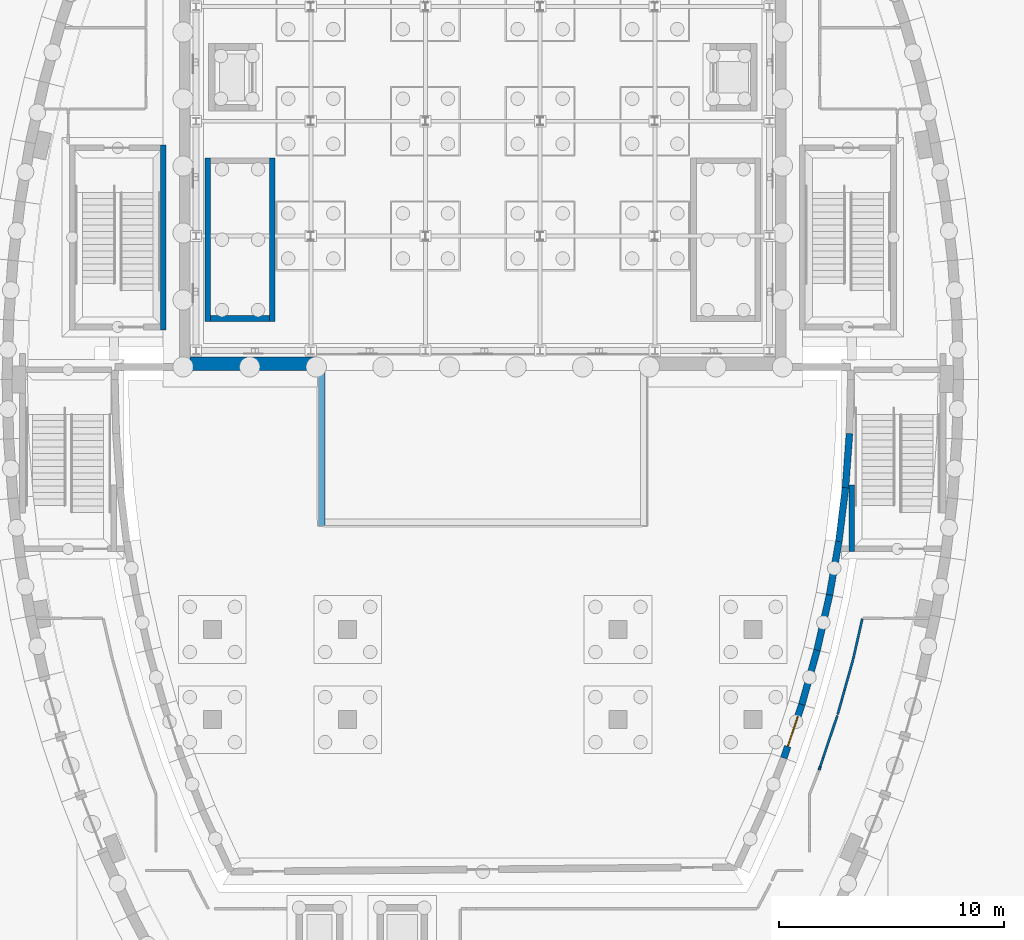
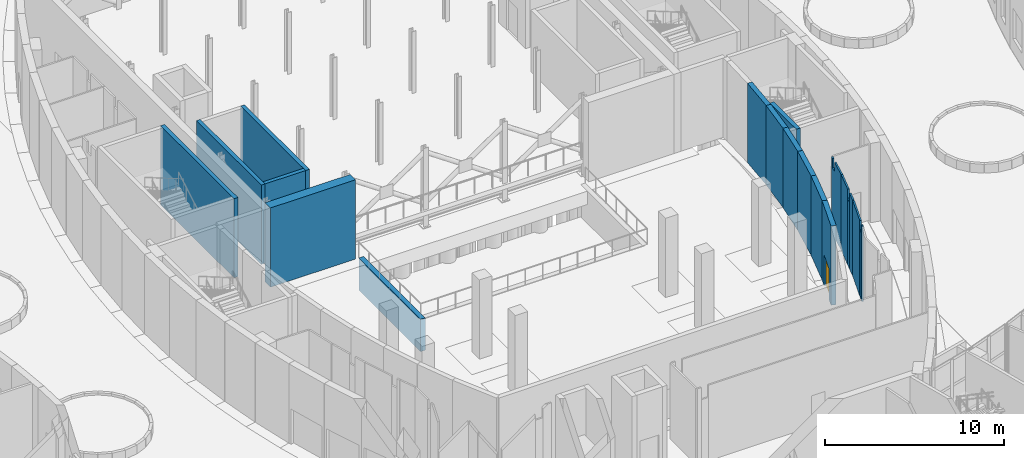
# One storey, part 51 of 82: 20 walls, 1 door, 1 opening.
"""IFC4 building model written with IfcOpenShell, lengths in metres."""

from ifc_helpers import new_model, si_unit, direction, frame, frame_2d, origin, place, context, subcontext, project, spatial, polyline, rectangle, outline, extrude, material, layer, layer_set, type_object, element, fill, save


model = new_model("IFC4")

# Units and contexts
model_context = context("Model", 3, precision=1e-05, world=origin(), true_north=direction((0.0, 1.0)))
body_context = subcontext(model_context, "Body", "Model", "MODEL_VIEW")
ifc_project = project(units=[si_unit("LENGTHUNIT", "METRE"), si_unit("AREAUNIT", "SQUARE_METRE"), si_unit("VOLUMEUNIT", "CUBIC_METRE"), si_unit("PLANEANGLEUNIT", "RADIAN"), si_unit("MASSUNIT", "GRAM", prefix="KILO")], contexts=[model_context])

# Site, building, storey
site_placement = place(None, origin())
site = spatial("IfcSite", under=ifc_project, at=site_placement, CompositionType="ELEMENT")
building_placement = place(site_placement, origin())
building = spatial("IfcBuilding", under=site, at=building_placement, Name="Tide Square Theatres", CompositionType="ELEMENT")
storey_placement = place(building_placement, origin())
storey = spatial("IfcBuildingStorey", under=building, at=storey_placement, Name="L00", CompositionType="ELEMENT", Elevation=0.0)

# Walls
ifc_material_1 = material(Name="Gypsum board on steel studs", Category="steel")
ifc_layer_1 = layer(ifc_material_1, 0.10009765625)
ifc_layer_set_1 = layer_set([ifc_layer_1], Name="Gypsum board on steel studs")
wall_type_1 = type_object("IfcWallType", Name="Partition 100 thick", PredefinedType="PARTITIONING", material=ifc_layer_set_1)
wall_1_placement = place(storey_placement, frame((98.9267578125, 37.673095703125, 0.0), z_axis=(0.0, 0.0, 1.0), x_axis=(0.318883891179, 0.94779378767, 0.0)))
element("IfcWall", 1, at=wall_1_placement, inside=storey, type_object=wall_type_1, Name="Partition", PredefinedType="PARTITIONING", context=body_context, shape_type="SweptSolid", body=[
    extrude(rectangle(XDim=0.1376953125, YDim=0.10009765625, at=frame_2d((0.06884765625, 0.0))), origin(), (0.0, 0.0, 1.0), 5.14990234375),
])
wall_2_placement = place(storey_placement, frame((98.970703125, 37.8037109375, 0.0), z_axis=(0.0, 0.0, 1.0), x_axis=(0.318878942687, 0.947795452569, 0.0)))
element("IfcWall", 2, at=wall_2_placement, inside=storey, type_object=wall_type_1, Name="Partition", PredefinedType="PARTITIONING", context=body_context, shape_type="SweptSolid", body=[
    extrude(rectangle(XDim=0.414306640625, YDim=0.10009765625, at=frame_2d((0.20703125, 0.0))), origin(), (0.0, 0.0, 1.0), 4.52001953125),
])
wall_3_placement = place(storey_placement, frame((99.102783203125, 38.1962890625, 0.0), z_axis=(0.0, 0.0, 1.0), x_axis=(0.318876680785, 0.947796213567, 0.0)))
element("IfcWall", 3, at=wall_3_placement, inside=storey, type_object=wall_type_1, Name="Partition", PredefinedType="PARTITIONING", context=body_context, shape_type="SweptSolid", body=[
    extrude(rectangle(XDim=1.98974609375, YDim=0.10009765625, at=frame_2d((0.994873046875, 0.0))), origin(), (0.0, 0.0, 1.0), 5.14990234375),
])
wall_4_placement = place(storey_placement, frame((99.7509765625, 40.130859375, 0.0), z_axis=(0.0, 0.0, 1.0), x_axis=(0.269797786419, 0.962917002884, 0.0)))
element("IfcWall", 4, at=wall_4_placement, inside=storey, type_object=wall_type_1, Name="Partition", PredefinedType="PARTITIONING", context=body_context, shape_type="SweptSolid", body=[
    extrude(rectangle(XDim=0.701416015625, YDim=0.10009765625, at=frame_2d((0.3505859375, 0.0))), origin(), (0.0, 0.0, 1.0), 5.14990234375),
])
wall_5_placement = place(storey_placement, frame((99.940185546875, 40.80615234375, 0.0), z_axis=(0.0, 0.0, 1.0), x_axis=(0.26983234105, 0.962907320423, 0.0)))
element("IfcWall", 5, at=wall_5_placement, inside=storey, type_object=wall_type_1, Name="Partition", PredefinedType="PARTITIONING", context=body_context, shape_type="SweptSolid", body=[
    extrude(rectangle(XDim=0.402587890625, YDim=0.10009765625, at=frame_2d((0.201171875, 0.0))), origin(), (0.0, 0.0, 1.0), 4.52001953125),
])
wall_6_placement = place(storey_placement, frame((100.048828125, 41.19384765625, 0.0), z_axis=(0.0, 0.0, 1.0), x_axis=(0.269963692325, 0.962870502626, 0.0)))
element("IfcWall", 6, at=wall_6_placement, inside=storey, type_object=wall_type_1, Name="Partition", PredefinedType="PARTITIONING", context=body_context, shape_type="SweptSolid", body=[
    extrude(rectangle(XDim=1.43798828125, YDim=0.10009765625, at=frame_2d((0.718994140625, 0.0))), origin(), (0.0, 0.0, 1.0), 5.14990234375),
])
wall_7_placement = place(storey_placement, frame((100.43994140625, 42.590576171875, 0.0), z_axis=(0.0, 0.0, 1.0), x_axis=(0.220355262227, 0.975419683218, 0.0)))
element("IfcWall", 7, at=wall_7_placement, inside=storey, type_object=wall_type_1, Name="Partition", PredefinedType="PARTITIONING", context=body_context, shape_type="SweptSolid", body=[
    extrude(outline(polyline([(0.0, 0.0), (1.825927734375, 0.0), (1.8359375, 5.14990234375), (1.64306640625, 5.14990234375), (1.64111328125, 4.52001953125), (1.2490234375, 4.52001953125), (1.2470703125, 5.14990234375), (0.0, 5.14990234375), (0.0, 0.0)])), frame((0.0, 0.050048828125, 0.0), z_axis=(0.0, -1.0, 0.0), x_axis=(1.0, 0.0, 0.0)), (0.0, 0.0, 1.0), 0.10009765625),
])
ifc_material_2 = material(Name="Concrete C40", Category="concrete")
ifc_layer_2 = layer(ifc_material_2, 0.25)
ifc_layer_set_2 = layer_set([ifc_layer_2], Name="Concrete C40")
wall_type_2 = type_object("IfcWallType", Name="RC shear wall 250 thick", PredefinedType="SHEAR", material=ifc_layer_set_2)
wall_8_placement = place(storey_placement, frame((69.824951171875, 57.199951171875, 0.0), z_axis=(0.0, 0.0, 1.0), x_axis=(0.0, 1.0, 0.0)))
element("IfcWall", 8, at=wall_8_placement, inside=storey, type_object=wall_type_2, Name="Main Theatre West Stair shaft wall", PredefinedType="SHEAR", context=body_context, shape_type="SweptSolid", body=[
    extrude(rectangle(XDim=8.199951171875, YDim=0.25, at=frame_2d((4.10009765625, 0.0))), origin(), (0.0, 0.0, 1.0), 5.39990234375),
])
wall_9_placement = place(storey_placement, frame((100.375, 50.318115234375, 0.0), z_axis=(0.0, 0.0, 1.0), x_axis=(0.0, -1.0, 0.0)))
element("IfcWall", 9, at=wall_9_placement, inside=storey, type_object=wall_type_2, Name="Main Theatre East Circle Stair shaft wall", PredefinedType="SHEAR", context=body_context, shape_type="SweptSolid", body=[
    extrude(rectangle(XDim=2.968017578125, YDim=0.25, at=frame_2d((1.48388671875, 0.0))), origin(), (0.0, 0.0, 1.0), 5.39990234375),
])
for number, where, z_axis, x_axis, name in (
    (10, (74.65087890625, 57.575927734375, 0.0), (0.0, 0.0, 1.0), (0.0, 1.0, 0.0), "Fly Tower west stair base shaft wall"),
    (11, (71.801025390625, 64.825927734375, 0.0), (0.0, 0.0, 1.0), (0.0, -1.0, 0.0), "Fly Tower west stair base shaft wall"),
):
    element("IfcWall", number, at=place(storey_placement, frame(where, z_axis=z_axis, x_axis=x_axis)), inside=storey, type_object=wall_type_2, Name=name, PredefinedType="SHEAR", context=body_context, shape_type="SweptSolid", body=[
        extrude(rectangle(XDim=7.25, YDim=0.25, at=frame_2d((3.625, 0.0))), origin(), (0.0, 0.0, 1.0), 5.39990234375),
    ])
wall_10_placement = place(storey_placement, frame((74.52587890625, 57.700927734375, 0.0), z_axis=(0.0, 0.0, 1.0), x_axis=(-1.0, 0.0, 0.0)))
element("IfcWall", 12, at=wall_10_placement, inside=storey, type_object=wall_type_2, Name="Fly Tower west stair base shaft wall", PredefinedType="SHEAR", context=body_context, shape_type="SweptSolid", body=[
    extrude(rectangle(XDim=2.599853515625, YDim=0.25, at=frame_2d((1.2998046875, 0.0))), origin(), (0.0, 0.0, 1.0), 5.39990234375),
])

# Wall, opening, door
ifc_material_3 = material(Name="Concrete C40", Category="concrete")
ifc_layer_3 = layer(ifc_material_3, 0.300048828125)
ifc_layer_set_3 = layer_set([ifc_layer_3], Name="Concrete C40")
wall_type_3 = type_object("IfcWallType", Name="RC shear wall 300 thick", PredefinedType="SHEAR", material=ifc_layer_set_3)
wall_11_placement = place(storey_placement, frame((97.3603515625, 38.19189453125, 0.0), z_axis=(0.0, 0.0, 1.0), x_axis=(0.318855282586, 0.947803412511, 0.0)))
wall_11 = element("IfcWall", 13, at=wall_11_placement, inside=storey, type_object=wall_type_3, Name="Main Theatre auditorium wall", PredefinedType="SHEAR", context=body_context, shape_type="SweptSolid", body=[
    extrude(rectangle(XDim=2.507568359375, YDim=0.300048828125, at=frame_2d((1.25390625, 0.0))), origin(), (0.0, 0.0, 1.0), 5.39990234375),
])
opening_placement = place(wall_11_placement, frame((0.550048828125, 0.0, 0.0)))
opening = element("IfcOpeningElement", 14, at=opening_placement, cuts=wall_11, Name="Opening M00-35", PredefinedType="OPENING", context=body_context, shape_type="SweptSolid", body=[
    extrude(rectangle(XDim=1.39990234375, YDim=2.10009765625, at=frame_2d((0.699951171875, 1.050048828125))), frame((0.0, 0.159912109375, 0.0), z_axis=(0.0, -1.0, 0.0), x_axis=(1.0, 0.0, 0.0)), (0.0, 0.0, 1.0), 0.320068359375),
])
ifc_material_4 = material(Name="Hardwood timber", Category="wood")
door_type = type_object("IfcDoorType", Name="Door 1400 x 2100 double leaf", OperationType="DOUBLE_DOOR_SINGLE_SWING", PredefinedType="DOOR", material=ifc_material_4)
door_placement = place(opening_placement, origin())
door = element("IfcDoor", 15, at=door_placement, inside=storey, type_object=door_type, Name="Auditorium side exit pair", OperationType="DOUBLE_DOOR_SINGLE_SWING", OverallHeight=2.10009765625, OverallWidth=1.39990234375, PredefinedType="DOOR", context=body_context, shape_type="SweptSolid", body=[
    extrude(rectangle(XDim=1.39990234375, YDim=2.10009765625, at=frame_2d((0.699951171875, 1.050048828125))), frame((0.0, 0.02490234375, 0.0), z_axis=(0.0, -1.0, 0.0), x_axis=(1.0, 0.0, 0.0)), (0.0, 0.0, 1.0), 0.050048828125),
])
fill(opening, door)

# Walls
wall_12_placement = place(storey_placement, frame((98.159912109375, 40.568603515625, 0.0), z_axis=(0.0, 0.0, 1.0), x_axis=(0.269947665913, 0.962874995868, 0.0)))
element("IfcWall", 16, at=wall_12_placement, inside=storey, type_object=wall_type_3, Name="Main Theatre auditorium wall", PredefinedType="SHEAR", context=body_context, shape_type="SweptSolid", body=[
    extrude(rectangle(XDim=2.5078125, YDim=0.300048828125, at=frame_2d((1.25390625, 0.0))), origin(), (0.0, 0.0, 1.0), 5.39990234375),
])
wall_13_placement = place(storey_placement, frame((98.8369140625, 42.9833984375, 0.0), z_axis=(0.0, 0.0, 1.0), x_axis=(0.220389232345, 0.975412008469, 0.0)))
element("IfcWall", 17, at=wall_13_placement, inside=storey, type_object=wall_type_3, Name="Main Theatre auditorium wall", PredefinedType="SHEAR", context=body_context, shape_type="SweptSolid", body=[
    extrude(rectangle(XDim=2.51025390625, YDim=0.300048828125, at=frame_2d((1.255126953125, 0.0))), origin(), (0.0, 0.0, 1.0), 5.39990234375),
])
wall_14_placement = place(storey_placement, frame((99.39013671875, 45.431884765625, 0.0), z_axis=(0.0, 0.0, 1.0), x_axis=(0.171225522804, 0.985231861209, 0.0)))
element("IfcWall", 18, at=wall_14_placement, inside=storey, type_object=wall_type_3, Name="Main Theatre auditorium wall", PredefinedType="SHEAR", context=body_context, shape_type="SweptSolid", body=[
    extrude(rectangle(XDim=2.405517578125, YDim=0.300048828125, at=frame_2d((1.20263671875, 0.0))), origin(), (0.0, 0.0, 1.0), 5.39990234375),
])
wall_15_placement = place(storey_placement, frame((99.802001953125, 47.8017578125, 0.0), z_axis=(0.0, 0.0, 1.0), x_axis=(0.122487115362, 0.992470103615, 0.0)))
element("IfcWall", 19, at=wall_15_placement, inside=storey, type_object=wall_type_3, Name="Main Theatre auditorium wall", PredefinedType="SHEAR", context=body_context, shape_type="SweptSolid", body=[
    extrude(rectangle(XDim=2.40771484375, YDim=0.300048828125, at=frame_2d((1.203857421875, 0.0))), origin(), (0.0, 0.0, 1.0), 5.39990234375),
])
wall_16_placement = place(storey_placement, frame((100.096923828125, 50.19140625, 0.0), z_axis=(0.0, 0.0, 1.0), x_axis=(0.073711091533, 0.997279637306, 0.0)))
element("IfcWall", 20, at=wall_16_placement, inside=storey, type_object=wall_type_3, Name="Main Theatre auditorium wall", PredefinedType="SHEAR", context=body_context, shape_type="SweptSolid", body=[
    extrude(rectangle(XDim=2.407958984375, YDim=0.300048828125, at=frame_2d((1.2041015625, 0.0))), origin(), (0.0, 0.0, 1.0), 5.39990234375),
])
wall_17_placement = place(storey_placement, frame((76.85009765625, 55.39990234375, -2.199951171875), z_axis=(0.0, 0.0, 1.0), x_axis=(0.0, -1.0, 0.0)))
element("IfcWall", 21, at=wall_17_placement, inside=storey, type_object=wall_type_3, Name="Orchestra pit wall", PredefinedType="SHEAR", context=body_context, shape_type="SweptSolid", body=[
    extrude(rectangle(XDim=6.89990234375, YDim=0.300048828125, at=frame_2d((3.449951171875, 0.0))), origin(), (0.0, 0.0, 1.0), 2.199951171875),
])
ifc_material_5 = material(Name="Concrete C40", Category="concrete")
ifc_layer_4 = layer(ifc_material_5, 0.60009765625)
ifc_layer_set_4 = layer_set([ifc_layer_4], Name="Concrete C40")
wall_type_4 = type_object("IfcWallType", Name="RC shear wall 600 thick", PredefinedType="SHEAR", material=ifc_layer_set_4)
wall_18_placement = place(storey_placement, frame((71.0, 55.699951171875, 0.0), z_axis=(0.0, 0.0, 1.0), x_axis=(1.0, 0.0, 0.0)))
element("IfcWall", 22, at=wall_18_placement, inside=storey, type_object=wall_type_4, Name="Proscenium wall", PredefinedType="SHEAR", context=body_context, shape_type="SweptSolid", body=[
    extrude(rectangle(XDim=5.5, YDim=0.60009765625, at=frame_2d((2.75, 0.0))), origin(), (0.0, 0.0, 1.0), 5.39990234375),
])

save(model, "model.ifc")
